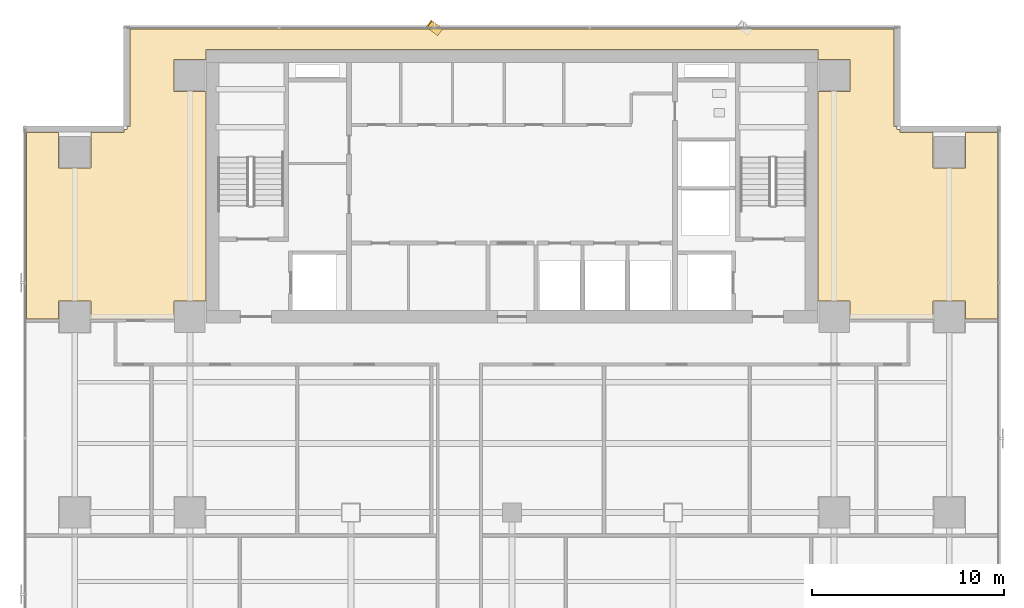
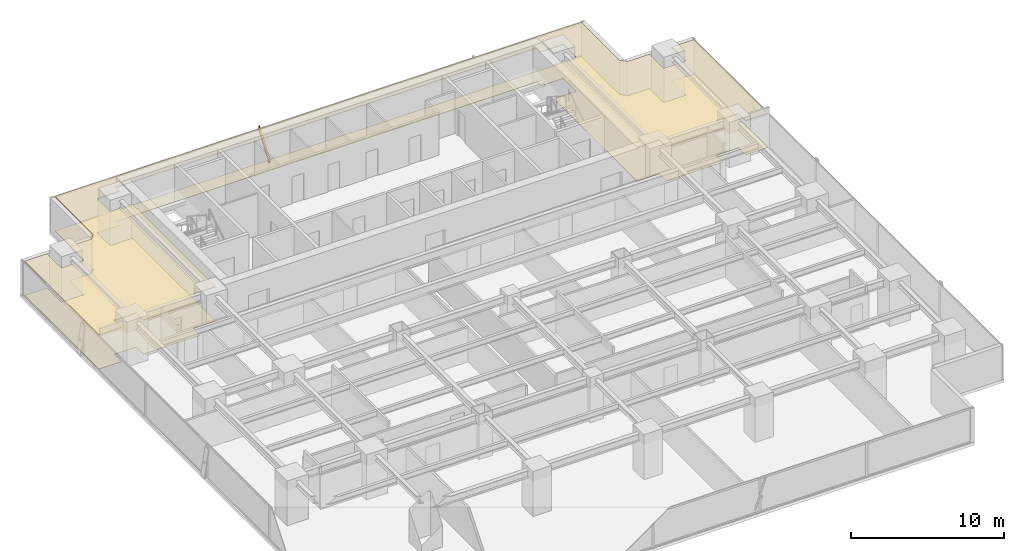
# One storey, part 34 of 36: 2 coverings, 1 shading device.
"""IFC4 building model written with IfcOpenShell, lengths in metres."""

from ifc_helpers import new_model, si_unit, direction, frame, origin, origin_2d, place, context, subcontext, project, spatial, polyline, rectangle, outline, extrude, source, transform, mapped, material, layer, layer_set, material_profile, profile_set, type_object, element, save


model = new_model("IFC4")

# Units and contexts
model_context = context("Model", 3, precision=1e-05, world=origin(), true_north=direction((0.0, 1.0)))
body_context = subcontext(model_context, "Body", "Model", "MODEL_VIEW")
ifc_project = project(units=[si_unit("LENGTHUNIT", "METRE"), si_unit("AREAUNIT", "SQUARE_METRE"), si_unit("VOLUMEUNIT", "CUBIC_METRE"), si_unit("PLANEANGLEUNIT", "RADIAN"), si_unit("MASSUNIT", "GRAM", prefix="KILO")], contexts=[model_context])

# Site, building, storey
site_placement = place(None, origin())
site = spatial("IfcSite", under=ifc_project, at=site_placement, CompositionType="ELEMENT")
building_placement = place(site_placement, origin())
building = spatial("IfcBuilding", under=site, at=building_placement, Name="Sumidabori Civic Tower", CompositionType="ELEMENT")
storey_placement = place(building_placement, frame((0.0, 0.0, 92.0)))
storey = spatial("IfcBuildingStorey", under=building, at=storey_placement, Name="L23", CompositionType="ELEMENT", Elevation=92.0)

# Coverings
ifc_material_1 = material(Name="Gypsum Coffered Acoustic Ceiling")
ifc_layer_1 = layer(ifc_material_1, 0.06494140625, Name="Gypsum Coffered Acoustic Ceiling")
ifc_layer_set_1 = layer_set([ifc_layer_1], Name="Gypsum Coffered Acoustic Ceiling")
covering_type_1 = type_object("IfcCoveringType", Name="CV-CEIL-AC4", PredefinedType="CEILING", material=ifc_layer_set_1)
covering_1_placement = place(storey_placement, frame((0.0, 0.0, 2.7099609375)))
element("IfcCovering", 1, at=covering_1_placement, inside=storey, type_object=covering_type_1, Name="Room Acoustic Ceiling L23-01", PredefinedType="CEILING", context=body_context, shape_type="SweptSolid", body=[
    extrude(outline(polyline([(-25.330078125, 10.094970703125), (-25.330078125, 19.822021484375), (-23.639892578125, 19.822021484375), (-23.639892578125, 17.9599609375), (-21.9599609375, 17.9599609375), (-21.9599609375, 19.822021484375), (-20.241943359375, 19.822021484375), (-20.241943359375, 19.97998046875), (-20.080078125, 19.97998046875), (-20.080078125, 20.14208984375), (-19.922119140625, 20.14208984375), (-19.922119140625, 25.22998046875), (19.922119140625, 25.22998046875), (19.922119140625, 20.14208984375), (20.080078125, 20.14208984375), (20.080078125, 19.97998046875), (20.241943359375, 19.97998046875), (20.241943359375, 19.822021484375), (21.9599609375, 19.822021484375), (21.9599609375, 17.9599609375), (23.639892578125, 17.9599609375), (23.639892578125, 19.822021484375), (25.330078125, 19.822021484375), (25.330078125, 10.094970703125), (23.639892578125, 10.094970703125), (23.639892578125, 11.0400390625), (21.9599609375, 11.0400390625), (21.9599609375, 10.094970703125), (20.77001953125, 10.094970703125), (20.77001953125, 10.1201171875), (17.639892578125, 10.1201171875), (17.639892578125, 11.0400390625), (15.952880859375, 11.0400390625), (15.952880859375, 21.9599609375), (17.639892578125, 21.9599609375), (17.639892578125, 23.639892578125), (15.952880859375, 23.639892578125), (15.952880859375, 24.153076171875), (-15.952880859375, 24.153076171875), (-15.952880859375, 23.639892578125), (-17.639892578125, 23.639892578125), (-17.639892578125, 21.9599609375), (-15.952880859375, 21.9599609375), (-15.952880859375, 11.0400390625), (-17.639892578125, 11.0400390625), (-17.639892578125, 10.1201171875), (-20.77001953125, 10.1201171875), (-20.77001953125, 10.094970703125), (-21.9599609375, 10.094970703125), (-21.9599609375, 11.0400390625), (-23.639892578125, 11.0400390625), (-23.639892578125, 10.094970703125), (-25.330078125, 10.094970703125)])), origin(), (0.0, 0.0, 1.0), 0.06494140625),
])
ifc_material_2 = material(Name="Honed Terrazzo Tile Flooring")
ifc_layer_2 = layer(ifc_material_2, 0.030029296875, Name="Honed Terrazzo Tile Flooring")
ifc_layer_set_2 = layer_set([ifc_layer_2], Name="Honed Terrazzo Tile Flooring")
covering_type_2 = type_object("IfcCoveringType", Name="CV-FLR-TER", PredefinedType="FLOORING", material=ifc_layer_set_2)
covering_2_placement = place(storey_placement, origin())
element("IfcCovering", 2, at=covering_2_placement, inside=storey, type_object=covering_type_2, Name="Room Terrazzo Floor L23-01", PredefinedType="FLOORING", context=body_context, shape_type="SweptSolid", body=[
    extrude(outline(polyline([(-25.330078125, 10.094970703125), (-25.330078125, 19.822021484375), (-23.639892578125, 19.822021484375), (-23.639892578125, 17.9599609375), (-21.9599609375, 17.9599609375), (-21.9599609375, 19.822021484375), (-20.241943359375, 19.822021484375), (-20.241943359375, 19.97998046875), (-20.080078125, 19.97998046875), (-20.080078125, 20.14208984375), (-19.922119140625, 20.14208984375), (-19.922119140625, 25.22998046875), (19.922119140625, 25.22998046875), (19.922119140625, 20.14208984375), (20.080078125, 20.14208984375), (20.080078125, 19.97998046875), (20.241943359375, 19.97998046875), (20.241943359375, 19.822021484375), (21.9599609375, 19.822021484375), (21.9599609375, 17.9599609375), (23.639892578125, 17.9599609375), (23.639892578125, 19.822021484375), (25.330078125, 19.822021484375), (25.330078125, 10.094970703125), (23.639892578125, 10.094970703125), (23.639892578125, 11.0400390625), (21.9599609375, 11.0400390625), (21.9599609375, 10.094970703125), (20.77001953125, 10.094970703125), (20.77001953125, 10.1201171875), (17.639892578125, 10.1201171875), (17.639892578125, 11.0400390625), (15.952880859375, 11.0400390625), (15.952880859375, 21.9599609375), (17.639892578125, 21.9599609375), (17.639892578125, 23.639892578125), (15.952880859375, 23.639892578125), (15.952880859375, 24.153076171875), (-15.952880859375, 24.153076171875), (-15.952880859375, 23.639892578125), (-17.639892578125, 23.639892578125), (-17.639892578125, 21.9599609375), (-15.952880859375, 21.9599609375), (-15.952880859375, 11.0400390625), (-17.639892578125, 11.0400390625), (-17.639892578125, 10.1201171875), (-20.77001953125, 10.1201171875), (-20.77001953125, 10.094970703125), (-21.9599609375, 10.094970703125), (-21.9599609375, 11.0400390625), (-23.639892578125, 11.0400390625), (-23.639892578125, 10.094970703125), (-25.330078125, 10.094970703125)])), origin(), (0.0, 0.0, 1.0), 0.030029296875),
])

# Shading device
ifc_material_3 = material(Name="Anodised Bronze Aluminium AW-6063-T6", Category="aluminium")
ifc_material_profile = material_profile(ifc_material_3, rectangle(XDim=0.06005859375, YDim=0.449951171875, at=origin_2d()), Name="BRONZE FIN 450x60")
ifc_profile_set = profile_set([ifc_material_profile], Name="Anodised Bronze Aluminium AW-6063-T6")
shading_device_type = type_object("IfcShadingDeviceType", Name="SH-FIN-450", PredefinedType="USERDEFINED", material=ifc_profile_set)
shared_shape = source(origin(), body_context, "Body", "SweptSolid", [
    extrude(rectangle(XDim=0.06005859375, YDim=0.449951171875, at=origin_2d()), origin(), (0.0, 0.0, 1.0), 2.769775390625),
])
shading_device_placement = place(storey_placement, frame((-3.763916015625, 25.070068359375, 0.02001953125), z_axis=(-0.202198633998, 0.151604904305, 0.967538973582), x_axis=(0.774112159528, -0.58041539424, 0.252721852241)))
element("IfcShadingDevice", 3, at=shading_device_placement, inside=storey, type_object=shading_device_type, Name="Bronze Anodised Diagonal Fin L23-03", ObjectType="FIN", PredefinedType="USERDEFINED", context=body_context, shape_type="MappedRepresentation", body=[
    mapped(shared_shape, transform((0.0, 0.0, 0.0), x_axis=(1.0, 0.0, 0.0), y_axis=(0.0, 1.0, 0.0), z_axis=(0.0, 0.0, 1.0), scale=1.0)),
])

save(model, "model.ifc")
